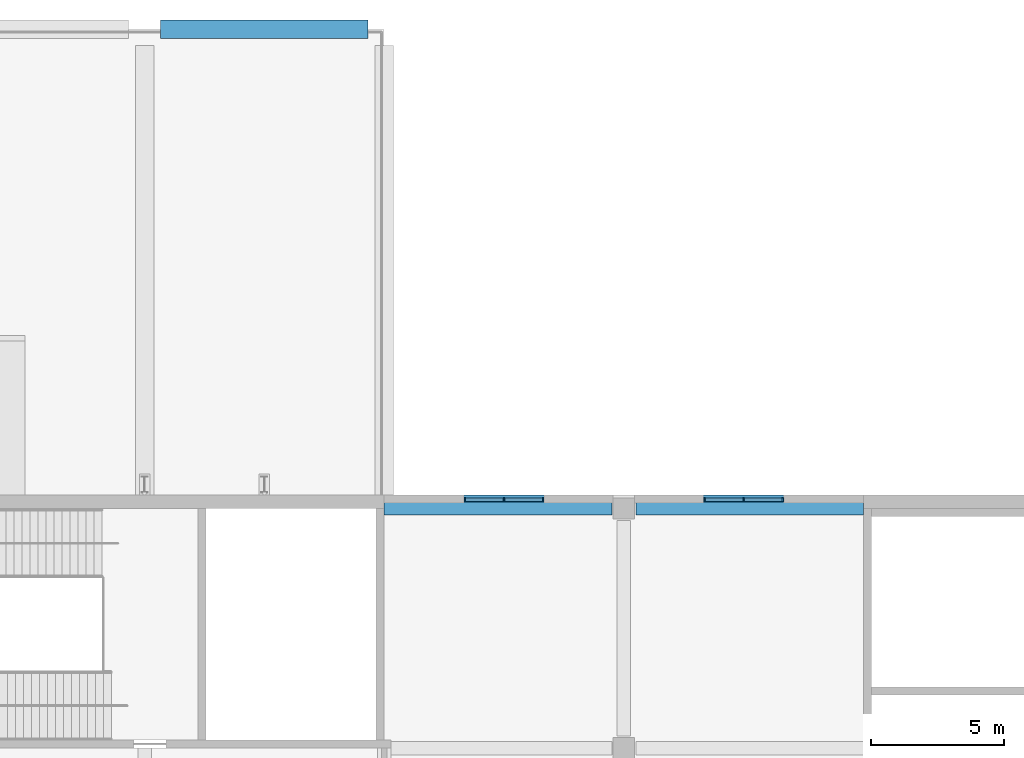
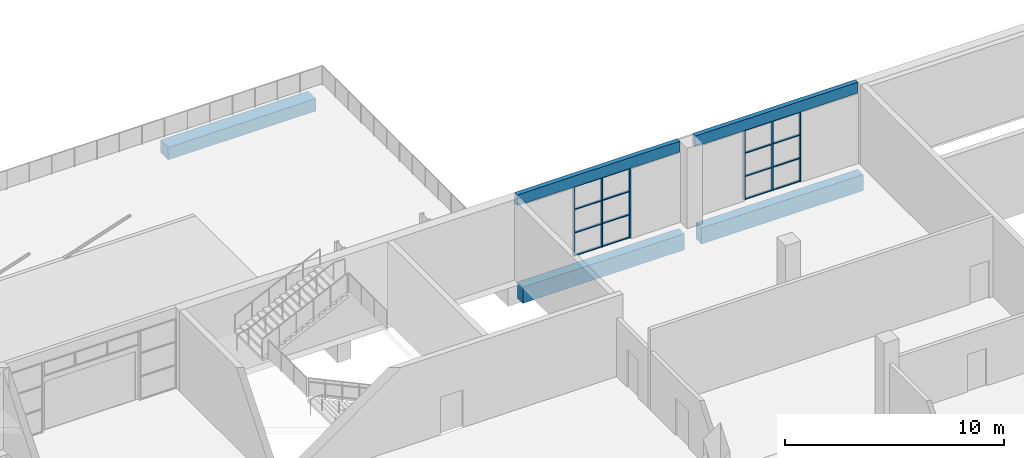
# One storey, part 66 of 168: 22 members, 5 beams, 2 elements without a shape of their own.
"""IFC4 building model written with IfcOpenShell, lengths in metres."""

import ifcopenshell
import ifcopenshell.guid

model = None  # the IFC model being written
_history = None  # IfcOwnerHistory: only IFC2X3 demands one
_inside = {}  # id of a spatial element -> (the spatial element, [elements in it])
_under = {}  # id of a project, library or spatial element -> (it, [spatial elements below it])
_declared = {}  # id of a project -> (the project, [libraries it declares])
_typed = {}  # id of a type object -> (the type object, [elements of that type])
_made_of = {}  # id of a material, layer set ... -> (it, [elements and type objects made of it])


def new_model(schema):
    """Start an empty IFC model of exactly this schema.

    Asked for "IFC4X3", IfcOpenShell would pick the latest addendum, in which some entities
    have other attributes; the version numbers below select the first issue.
    IFC2X3 requires an IfcOwnerHistory on every rooted entity: one is made here for all.
    """
    global model, _history
    if schema == "IFC4X3":
        model = ifcopenshell.file(schema_version=(4, 3, 0, 0))
    else:
        model = ifcopenshell.file(schema=schema)
    _inside.clear()
    _under.clear()
    _declared.clear()
    _typed.clear()
    _made_of.clear()
    _history = None
    if model.schema == "IFC2X3":
        org = make("IfcOrganization", Name="unknown")
        user = make(
            "IfcPersonAndOrganization",
            ThePerson=make("IfcPerson", FamilyName="unknown"),
            TheOrganization=org,
        )
        app = make(
            "IfcApplication",
            ApplicationDeveloper=org,
            Version="unknown",
            ApplicationFullName="unknown",
            ApplicationIdentifier="unknown",
        )
        _history = make(
            "IfcOwnerHistory",
            OwningUser=user,
            OwningApplication=app,
            ChangeAction="ADDED",
            CreationDate=0,
        )
    return model


def make(cls, **values):
    """One entity of the class cls with the attributes given. An attribute that is None is left unset."""
    return model.create_entity(
        cls, **{name: value for name, value in values.items() if value is not None}
    )


def rooted(cls, **values):
    """An entity with a GlobalId (a new one), such as an element, a storey or a relation."""
    return make(cls, GlobalId=ifcopenshell.guid.new(), OwnerHistory=_history, **values)


def si_unit(unit_type, name, prefix=None):
    """IfcSIUnit, for example si_unit("LENGTHUNIT", "METRE", prefix="MILLI")."""
    return make("IfcSIUnit", UnitType=unit_type, Prefix=prefix, Name=name)


def assignment(units):
    """IfcUnitAssignment: the units of a project."""
    return None if units is None else make("IfcUnitAssignment", Units=units)


def point(xyz):
    """IfcCartesianPoint."""
    return None if xyz is None else make("IfcCartesianPoint", Coordinates=xyz)


def direction(xyz):
    """IfcDirection."""
    return None if xyz is None else make("IfcDirection", DirectionRatios=xyz)


def frame(location, z_axis=None, x_axis=None):
    """IfcAxis2Placement3D, a coordinate frame: its origin and axes. An axis left out is left unset."""
    return make(
        "IfcAxis2Placement3D",
        Location=point(location),
        Axis=direction(z_axis),
        RefDirection=direction(x_axis),
    )


def frame_2d(location, x_axis=None):
    """IfcAxis2Placement2D, a coordinate frame in the plane: its origin and x axis."""
    return make(
        "IfcAxis2Placement2D", Location=point(location), RefDirection=direction(x_axis)
    )


def origin():
    """The frame at (0, 0, 0) with its axes left unset."""
    return frame((0.0, 0.0, 0.0))


def origin_2d():
    """The frame at (0, 0) in the plane with its x axis left unset."""
    return frame_2d((0.0, 0.0))


def place(relative_to, where):
    """IfcLocalPlacement: puts the frame where relative to a parent placement (None: the world)."""
    return make(
        "IfcLocalPlacement", PlacementRelTo=relative_to, RelativePlacement=where
    )


def context(
    kind, dimensions, precision=None, world=None, true_north=None, identifier=None
):
    """IfcGeometricRepresentationContext, for example the 3D "Model" context."""
    return make(
        "IfcGeometricRepresentationContext",
        ContextIdentifier=identifier,
        ContextType=kind,
        CoordinateSpaceDimension=dimensions,
        Precision=precision,
        WorldCoordinateSystem=world,
        TrueNorth=true_north,
    )


def subcontext(parent, identifier, kind, view, scale=None):
    """IfcGeometricRepresentationSubContext, for example "Body" below "Model"."""
    return make(
        "IfcGeometricRepresentationSubContext",
        ContextIdentifier=identifier,
        ContextType=kind,
        ParentContext=parent,
        TargetScale=scale,
        TargetView=view,
    )


def project(units=None, contexts=None):
    """IfcProject with its units and contexts."""
    return rooted(
        "IfcProject",
        Name="project",
        RepresentationContexts=contexts,
        UnitsInContext=assignment(units),
    )


def spatial(cls, under=None, at=None, **own):
    """A site, building, storey or space (cls), placed at a placement, below another one or the project."""
    s = rooted(cls, ObjectPlacement=at, **own)
    if under is not None:
        _under.setdefault(under.id(), (under, []))[1].append(s)
    return s


def profile(cls, at=None, kind="AREA", **sizes):
    """A parametric profile (cls). Its sizes go by their IFC names, for example OverallWidth=200.0."""
    return make(cls, ProfileType=kind, Position=at, **sizes)


def rectangle(**sizes):
    """IfcRectangleProfileDef."""
    return profile("IfcRectangleProfileDef", **sizes)


def extrude(swept, where, along, depth):
    """IfcExtrudedAreaSolid: the profile swept, set in the frame where, extruded along a direction by depth."""
    return make(
        "IfcExtrudedAreaSolid",
        SweptArea=swept,
        Position=where,
        ExtrudedDirection=direction(along),
        Depth=depth,
    )


def shape(context_of_items, identifier, shape_type, items):
    """IfcShapeRepresentation: the items that make up one representation, for example the "Body"."""
    return make(
        "IfcShapeRepresentation",
        ContextOfItems=context_of_items,
        RepresentationIdentifier=identifier,
        RepresentationType=shape_type,
        Items=items,
    )


def material(Name=None, Category=None):
    """IfcMaterial."""
    return make("IfcMaterial", Name=Name, Category=Category)


def material_profile(
    of_material, cross_section, Name=None, Category=None, Priority=None
):
    """IfcMaterialProfile: a cross section and its material."""
    return make(
        "IfcMaterialProfile",
        Name=Name,
        Material=of_material,
        Profile=cross_section,
        Priority=Priority,
        Category=Category,
    )


def profile_set(profiles, Name=None, composite=None):
    """IfcMaterialProfileSet."""
    return make(
        "IfcMaterialProfileSet",
        Name=Name,
        MaterialProfiles=profiles,
        CompositeProfile=composite,
    )


def made_of(thing, what):
    """Note that an element or type object is made of a material, layer set ...; save() writes the relation."""
    if what is not None:
        _made_of.setdefault(what.id(), (what, []))[1].append(thing)
    return thing


def type_object(cls, material=None, **own):
    """A type object (cls), such as IfcWallType, which elements share."""
    return made_of(rooted(cls, **own), material)


def element(
    cls,
    number,
    at=None,
    inside=None,
    cuts=None,
    type_object=None,
    material=None,
    context=None,
    identifier="Body",
    shape_type=None,
    held_by="IfcProductDefinitionShape",
    body=None,
    shapes=None,
    **own,
):
    """One element of the class cls, such as IfcWall. Its Tag is "e" and its number.

    at: its placement. inside: the storey or other place that contains it. cuts: it is an
    opening in that element (IfcRelVoidsElement). A single representation is given by context,
    identifier, shape_type and body (its items); several are given by shapes. held_by: the class
    of the entity that holds the representations. save() writes the other relations.
    """
    e = rooted(cls, Tag="e%d" % number, ObjectPlacement=at, **own)
    if body is not None:
        shapes = [shape(context, identifier, shape_type, body)]
    if shapes is not None:
        e.Representation = make(held_by, Representations=shapes)
    if inside is not None:
        _inside.setdefault(inside.id(), (inside, []))[1].append(e)
    if cuts is not None:
        rooted(
            "IfcRelVoidsElement", RelatingBuildingElement=cuts, RelatedOpeningElement=e
        )
    if type_object is not None:
        _typed.setdefault(type_object.id(), (type_object, []))[1].append(e)
    return made_of(e, material)


def aggregate(whole, parts):
    """IfcRelAggregates: a whole, such as a stair, and the parts it consists of."""
    return rooted("IfcRelAggregates", RelatingObject=whole, RelatedObjects=parts)


def save(model, path):
    """Write the relations noted so far, then the file.

    IfcRelAggregates (storeys below a building ...), IfcRelContainedInSpatialStructure (elements
    in a storey), IfcRelDefinesByType, IfcRelAssociatesMaterial and IfcRelDeclares: one each for
    every whole, place, type object, material and project.
    """
    for whole, parts in _under.values():
        aggregate(whole, parts)
    for where, things in _inside.values():
        rooted(
            "IfcRelContainedInSpatialStructure",
            RelatedElements=things,
            RelatingStructure=where,
        )
    for kind, things in _typed.values():
        rooted("IfcRelDefinesByType", RelatedObjects=things, RelatingType=kind)
    for what, things in _made_of.values():
        rooted("IfcRelAssociatesMaterial", RelatedObjects=things, RelatingMaterial=what)
    for by, libraries in _declared.values():
        rooted("IfcRelDeclares", RelatingContext=by, RelatedDefinitions=libraries)
    model.write(path)


model = new_model("IFC4")

# Units and contexts
model_context = context("Model", 3, precision=1e-05, world=origin(), true_north=direction((0.0, 1.0)))
body_context = subcontext(model_context, "Body", "Model", "MODEL_VIEW")
ifc_project = project(units=[si_unit("LENGTHUNIT", "METRE"), si_unit("AREAUNIT", "SQUARE_METRE"), si_unit("VOLUMEUNIT", "CUBIC_METRE"), si_unit("PLANEANGLEUNIT", "RADIAN"), si_unit("MASSUNIT", "GRAM", prefix="KILO")], contexts=[model_context])

# Site, building, storey
site_placement = place(None, origin())
site = spatial("IfcSite", under=ifc_project, at=site_placement, CompositionType="ELEMENT")
building_placement = place(site_placement, origin())
building = spatial("IfcBuilding", under=site, at=building_placement, Name="Silverbay Arena", CompositionType="ELEMENT")
storey_placement = place(building_placement, frame((0.0, 0.0, 7.0)))
storey = spatial("IfcBuildingStorey", under=building, at=storey_placement, Name="L01", CompositionType="ELEMENT", Elevation=7.0)

# Curtain wall, members
ifc_material_1 = material(Name="Aluminium framed curtain wall", Category="aluminium")
curtain_wall_type = type_object("IfcCurtainWallType", Name="Curtain wall 3000 x 3900", PredefinedType="NOTDEFINED", material=ifc_material_1)
curtain_wall_1_placement = place(storey_placement, origin())
curtain_wall_1 = element("IfcCurtainWall", 1, at=curtain_wall_1_placement, inside=storey, type_object=curtain_wall_type, Name="North curtain wall L01 bay 21", PredefinedType="NOTDEFINED")
ifc_material_2 = material(Name="Aluminium", Category="aluminium")
ifc_material_profile_1 = material_profile(ifc_material_2, rectangle(XDim=0.159912109375, YDim=0.06005859375, at=origin_2d()), Name="Mullion 60 x 160")
ifc_profile_set_1 = profile_set([ifc_material_profile_1], Name="Aluminium")
member_type_1 = type_object("IfcMemberType", Name="Mullion 60 x 160", PredefinedType="MULLION", material=ifc_profile_set_1)
member_1_placement = place(storey_placement, frame((212.969970703125, 144.330078125, 0.0), z_axis=(0.0, 0.0, 1.0), x_axis=(0.0, -1.0, 0.0)))
member_1 = element("IfcMember", 2, at=member_1_placement, type_object=member_type_1, Name="CW5 mullion 1", PredefinedType="MULLION", context=body_context, shape_type="SweptSolid", body=[
    extrude(rectangle(XDim=0.159912109375, YDim=0.06005859375, at=origin_2d()), origin(), (0.0, 0.0, 1.0), 3.89990234375),
])
member_2_placement = place(storey_placement, frame((211.5, 144.330078125, 0.0), z_axis=(0.0, 0.0, 1.0), x_axis=(0.0, -1.0, 0.0)))
member_2 = element("IfcMember", 3, at=member_2_placement, type_object=member_type_1, Name="CW5 mullion 2", PredefinedType="MULLION", context=body_context, shape_type="SweptSolid", body=[
    extrude(rectangle(XDim=0.159912109375, YDim=0.06005859375, at=origin_2d()), origin(), (0.0, 0.0, 1.0), 3.89990234375),
])
member_3_placement = place(storey_placement, frame((210.030029296875, 144.330078125, 0.0), z_axis=(0.0, 0.0, 1.0), x_axis=(0.0, -1.0, 0.0)))
member_3 = element("IfcMember", 4, at=member_3_placement, type_object=member_type_1, Name="CW5 mullion 3", PredefinedType="MULLION", context=body_context, shape_type="SweptSolid", body=[
    extrude(rectangle(XDim=0.159912109375, YDim=0.06005859375, at=origin_2d()), origin(), (0.0, 0.0, 1.0), 3.89990234375),
])

curtain_wall_2_placement = place(storey_placement, origin())
curtain_wall_2 = element("IfcCurtainWall", 5, at=curtain_wall_2_placement, inside=storey, type_object=curtain_wall_type, Name="North curtain wall L01 bay 22", PredefinedType="NOTDEFINED")
member_4_placement = place(storey_placement, frame((221.969970703125, 144.330078125, 0.0), z_axis=(0.0, 0.0, 1.0), x_axis=(0.0, -1.0, 0.0)))
member_4 = element("IfcMember", 6, at=member_4_placement, type_object=member_type_1, Name="CW5 mullion 1", PredefinedType="MULLION", context=body_context, shape_type="SweptSolid", body=[
    extrude(rectangle(XDim=0.159912109375, YDim=0.06005859375, at=origin_2d()), origin(), (0.0, 0.0, 1.0), 3.89990234375),
])
member_5_placement = place(storey_placement, frame((220.5, 144.330078125, 0.0), z_axis=(0.0, 0.0, 1.0), x_axis=(0.0, -1.0, 0.0)))
member_5 = element("IfcMember", 7, at=member_5_placement, type_object=member_type_1, Name="CW5 mullion 2", PredefinedType="MULLION", context=body_context, shape_type="SweptSolid", body=[
    extrude(rectangle(XDim=0.159912109375, YDim=0.06005859375, at=origin_2d()), origin(), (0.0, 0.0, 1.0), 3.89990234375),
])
member_6_placement = place(storey_placement, frame((219.030029296875, 144.330078125, 0.0), z_axis=(0.0, 0.0, 1.0), x_axis=(0.0, -1.0, 0.0)))
member_6 = element("IfcMember", 8, at=member_6_placement, type_object=member_type_1, Name="CW5 mullion 3", PredefinedType="MULLION", context=body_context, shape_type="SweptSolid", body=[
    extrude(rectangle(XDim=0.159912109375, YDim=0.06005859375, at=origin_2d()), origin(), (0.0, 0.0, 1.0), 3.89990234375),
])

# Beams
ifc_material_3 = material(Name="Concrete Grade C45", Category="concrete")
ifc_material_profile_2 = material_profile(ifc_material_3, rectangle(XDim=0.5, YDim=0.89990234375, at=origin_2d()), Name="RC 500x900")
ifc_profile_set_2 = profile_set([ifc_material_profile_2], Name="Concrete Grade C45")
beam_type_1 = type_object("IfcBeamType", Name="RC beam 500x900", PredefinedType="BEAM", material=ifc_profile_set_2)
for number, where, z_axis, x_axis, name in (
    (9, (207.0, 144.0, -0.800048828125), (1.0, 0.0, 0.0), (0.0, 1.0, 0.0), "Floor beam L01 179"),
    (10, (216.449951171875, 144.0, -0.800048828125), (1.0, 0.0, 0.0), (0.0, 1.0, 0.0), "Floor beam L01 180"),
):
    element("IfcBeam", number, at=place(storey_placement, frame(where, z_axis=z_axis, x_axis=x_axis)), inside=storey, type_object=beam_type_1, Name=name, PredefinedType="BEAM", context=body_context, shape_type="SweptSolid", body=[
        extrude(rectangle(XDim=0.5, YDim=0.89990234375, at=origin_2d()), origin(), (0.0, 0.0, 1.0), 8.550048828125),
    ])
ifc_material_4 = material(Name="Concrete Grade C45", Category="concrete")
ifc_material_profile_3 = material_profile(ifc_material_4, rectangle(XDim=0.699951171875, YDim=0.699951171875, at=origin_2d()), Name="RC 700x700")
ifc_profile_set_3 = profile_set([ifc_material_profile_3], Name="Concrete Grade C45")
beam_type_2 = type_object("IfcBeamType", Name="RC beam 700x700", PredefinedType="BEAM", material=ifc_profile_set_3)
beam_placement = place(storey_placement, frame((198.60009765625, 162.0, -0.800048828125), z_axis=(1.0, 0.0, 0.0), x_axis=(0.0, 1.0, 0.0)))
element("IfcBeam", 11, at=beam_placement, inside=storey, type_object=beam_type_2, Name="Deck girder 139", PredefinedType="BEAM", context=body_context, shape_type="SweptSolid", body=[
    extrude(rectangle(XDim=0.699951171875, YDim=0.699951171875, at=origin_2d()), origin(), (0.0, 0.0, 1.0), 7.7998046875),
])
ifc_material_5 = material(Name="Concrete Grade C45", Category="concrete")
ifc_material_profile_4 = material_profile(ifc_material_5, rectangle(XDim=0.25, YDim=0.60009765625, at=origin_2d()), Name="RC 250x600")
ifc_profile_set_4 = profile_set([ifc_material_profile_4], Name="Concrete Grade C45")
beam_type_3 = type_object("IfcBeamType", Name="RC facade beam 250x600", PredefinedType="SPANDREL", material=ifc_profile_set_4)
for number, where, z_axis, x_axis, name in (
    (12, (207.0, 144.375, 4.199951171875), (1.0, 0.0, 0.0), (0.0, 1.0, 0.0), "Facade beam L01 north"),
    (13, (216.39990234375, 144.375, 4.199951171875), (1.0, 0.0, 0.0), (0.0, 1.0, 0.0), "Facade beam L01 north"),
):
    element("IfcBeam", number, at=place(storey_placement, frame(where, z_axis=z_axis, x_axis=x_axis)), inside=storey, type_object=beam_type_3, Name=name, PredefinedType="SPANDREL", context=body_context, shape_type="SweptSolid", body=[
        extrude(rectangle(XDim=0.25, YDim=0.60009765625, at=origin_2d()), origin(), (0.0, 0.0, 1.0), 8.60009765625),
    ])

# Member
ifc_material_6 = material(Name="Aluminium", Category="aluminium")
ifc_material_profile_5 = material_profile(ifc_material_6, rectangle(XDim=0.1201171875, YDim=0.050048828125, at=origin_2d()), Name="Transom 50 x 120")
ifc_profile_set_5 = profile_set([ifc_material_profile_5], Name="Aluminium")
member_type_2 = type_object("IfcMemberType", Name="Transom 50 x 120", PredefinedType="USERDEFINED", material=ifc_profile_set_5)
member_7_placement = place(storey_placement, frame((212.93994140625, 144.330078125, 0.02490234375), z_axis=(-1.0, 0.0, 0.0), x_axis=(0.0, -1.0, 0.0)))
member_7 = element("IfcMember", 14, at=member_7_placement, type_object=member_type_2, Name="CW5 transom 1.1", ObjectType="TRANSOM", PredefinedType="USERDEFINED", context=body_context, shape_type="SweptSolid", body=[
    extrude(rectangle(XDim=0.1201171875, YDim=0.050048828125, at=origin_2d()), origin(), (0.0, 0.0, 1.0), 1.409912109375),
])

member_8_placement = place(storey_placement, frame((212.93994140625, 144.330078125, 1.300048828125), z_axis=(-1.0, 0.0, 0.0), x_axis=(0.0, -1.0, 0.0)))
member_8 = element("IfcMember", 15, at=member_8_placement, type_object=member_type_2, Name="CW5 transom 1.2", ObjectType="TRANSOM", PredefinedType="USERDEFINED", context=body_context, shape_type="SweptSolid", body=[
    extrude(rectangle(XDim=0.1201171875, YDim=0.050048828125, at=origin_2d()), origin(), (0.0, 0.0, 1.0), 1.409912109375),
])

member_9_placement = place(storey_placement, frame((212.93994140625, 144.330078125, 2.60009765625), z_axis=(-1.0, 0.0, 0.0), x_axis=(0.0, -1.0, 0.0)))
member_9 = element("IfcMember", 16, at=member_9_placement, type_object=member_type_2, Name="CW5 transom 1.3", ObjectType="TRANSOM", PredefinedType="USERDEFINED", context=body_context, shape_type="SweptSolid", body=[
    extrude(rectangle(XDim=0.1201171875, YDim=0.050048828125, at=origin_2d()), origin(), (0.0, 0.0, 1.0), 1.409912109375),
])

member_10_placement = place(storey_placement, frame((212.93994140625, 144.330078125, 3.875), z_axis=(-1.0, 0.0, 0.0), x_axis=(0.0, -1.0, 0.0)))
member_10 = element("IfcMember", 17, at=member_10_placement, type_object=member_type_2, Name="CW5 transom 1.4", ObjectType="TRANSOM", PredefinedType="USERDEFINED", context=body_context, shape_type="SweptSolid", body=[
    extrude(rectangle(XDim=0.1201171875, YDim=0.050048828125, at=origin_2d()), origin(), (0.0, 0.0, 1.0), 1.409912109375),
])

member_11_placement = place(storey_placement, frame((211.469970703125, 144.330078125, 0.02490234375), z_axis=(-1.0, 0.0, 0.0), x_axis=(0.0, -1.0, 0.0)))
member_11 = element("IfcMember", 18, at=member_11_placement, type_object=member_type_2, Name="CW5 transom 2.1", ObjectType="TRANSOM", PredefinedType="USERDEFINED", context=body_context, shape_type="SweptSolid", body=[
    extrude(rectangle(XDim=0.1201171875, YDim=0.050048828125, at=origin_2d()), origin(), (0.0, 0.0, 1.0), 1.409912109375),
])

member_12_placement = place(storey_placement, frame((211.469970703125, 144.330078125, 1.300048828125), z_axis=(-1.0, 0.0, 0.0), x_axis=(0.0, -1.0, 0.0)))
member_12 = element("IfcMember", 19, at=member_12_placement, type_object=member_type_2, Name="CW5 transom 2.2", ObjectType="TRANSOM", PredefinedType="USERDEFINED", context=body_context, shape_type="SweptSolid", body=[
    extrude(rectangle(XDim=0.1201171875, YDim=0.050048828125, at=origin_2d()), origin(), (0.0, 0.0, 1.0), 1.409912109375),
])

member_13_placement = place(storey_placement, frame((211.469970703125, 144.330078125, 2.60009765625), z_axis=(-1.0, 0.0, 0.0), x_axis=(0.0, -1.0, 0.0)))
member_13 = element("IfcMember", 20, at=member_13_placement, type_object=member_type_2, Name="CW5 transom 2.3", ObjectType="TRANSOM", PredefinedType="USERDEFINED", context=body_context, shape_type="SweptSolid", body=[
    extrude(rectangle(XDim=0.1201171875, YDim=0.050048828125, at=origin_2d()), origin(), (0.0, 0.0, 1.0), 1.409912109375),
])

member_14_placement = place(storey_placement, frame((211.469970703125, 144.330078125, 3.875), z_axis=(-1.0, 0.0, 0.0), x_axis=(0.0, -1.0, 0.0)))
member_14 = element("IfcMember", 21, at=member_14_placement, type_object=member_type_2, Name="CW5 transom 2.4", ObjectType="TRANSOM", PredefinedType="USERDEFINED", context=body_context, shape_type="SweptSolid", body=[
    extrude(rectangle(XDim=0.1201171875, YDim=0.050048828125, at=origin_2d()), origin(), (0.0, 0.0, 1.0), 1.409912109375),
])

aggregate(curtain_wall_1, [member_1, member_2, member_3, member_7, member_8, member_9, member_10, member_11, member_12, member_13, member_14])

member_15_placement = place(storey_placement, frame((221.93994140625, 144.330078125, 0.02490234375), z_axis=(-1.0, 0.0, 0.0), x_axis=(0.0, -1.0, 0.0)))
member_15 = element("IfcMember", 22, at=member_15_placement, type_object=member_type_2, Name="CW5 transom 1.1", ObjectType="TRANSOM", PredefinedType="USERDEFINED", context=body_context, shape_type="SweptSolid", body=[
    extrude(rectangle(XDim=0.1201171875, YDim=0.050048828125, at=origin_2d()), origin(), (0.0, 0.0, 1.0), 1.409912109375),
])

member_16_placement = place(storey_placement, frame((221.93994140625, 144.330078125, 1.300048828125), z_axis=(-1.0, 0.0, 0.0), x_axis=(0.0, -1.0, 0.0)))
member_16 = element("IfcMember", 23, at=member_16_placement, type_object=member_type_2, Name="CW5 transom 1.2", ObjectType="TRANSOM", PredefinedType="USERDEFINED", context=body_context, shape_type="SweptSolid", body=[
    extrude(rectangle(XDim=0.1201171875, YDim=0.050048828125, at=origin_2d()), origin(), (0.0, 0.0, 1.0), 1.409912109375),
])

member_17_placement = place(storey_placement, frame((221.93994140625, 144.330078125, 2.60009765625), z_axis=(-1.0, 0.0, 0.0), x_axis=(0.0, -1.0, 0.0)))
member_17 = element("IfcMember", 24, at=member_17_placement, type_object=member_type_2, Name="CW5 transom 1.3", ObjectType="TRANSOM", PredefinedType="USERDEFINED", context=body_context, shape_type="SweptSolid", body=[
    extrude(rectangle(XDim=0.1201171875, YDim=0.050048828125, at=origin_2d()), origin(), (0.0, 0.0, 1.0), 1.409912109375),
])

member_18_placement = place(storey_placement, frame((221.93994140625, 144.330078125, 3.875), z_axis=(-1.0, 0.0, 0.0), x_axis=(0.0, -1.0, 0.0)))
member_18 = element("IfcMember", 25, at=member_18_placement, type_object=member_type_2, Name="CW5 transom 1.4", ObjectType="TRANSOM", PredefinedType="USERDEFINED", context=body_context, shape_type="SweptSolid", body=[
    extrude(rectangle(XDim=0.1201171875, YDim=0.050048828125, at=origin_2d()), origin(), (0.0, 0.0, 1.0), 1.409912109375),
])

member_19_placement = place(storey_placement, frame((220.469970703125, 144.330078125, 0.02490234375), z_axis=(-1.0, 0.0, 0.0), x_axis=(0.0, -1.0, 0.0)))
member_19 = element("IfcMember", 26, at=member_19_placement, type_object=member_type_2, Name="CW5 transom 2.1", ObjectType="TRANSOM", PredefinedType="USERDEFINED", context=body_context, shape_type="SweptSolid", body=[
    extrude(rectangle(XDim=0.1201171875, YDim=0.050048828125, at=origin_2d()), origin(), (0.0, 0.0, 1.0), 1.409912109375),
])

member_20_placement = place(storey_placement, frame((220.469970703125, 144.330078125, 1.300048828125), z_axis=(-1.0, 0.0, 0.0), x_axis=(0.0, -1.0, 0.0)))
member_20 = element("IfcMember", 27, at=member_20_placement, type_object=member_type_2, Name="CW5 transom 2.2", ObjectType="TRANSOM", PredefinedType="USERDEFINED", context=body_context, shape_type="SweptSolid", body=[
    extrude(rectangle(XDim=0.1201171875, YDim=0.050048828125, at=origin_2d()), origin(), (0.0, 0.0, 1.0), 1.409912109375),
])

member_21_placement = place(storey_placement, frame((220.469970703125, 144.330078125, 2.60009765625), z_axis=(-1.0, 0.0, 0.0), x_axis=(0.0, -1.0, 0.0)))
member_21 = element("IfcMember", 28, at=member_21_placement, type_object=member_type_2, Name="CW5 transom 2.3", ObjectType="TRANSOM", PredefinedType="USERDEFINED", context=body_context, shape_type="SweptSolid", body=[
    extrude(rectangle(XDim=0.1201171875, YDim=0.050048828125, at=origin_2d()), origin(), (0.0, 0.0, 1.0), 1.409912109375),
])

member_22_placement = place(storey_placement, frame((220.469970703125, 144.330078125, 3.875), z_axis=(-1.0, 0.0, 0.0), x_axis=(0.0, -1.0, 0.0)))
member_22 = element("IfcMember", 29, at=member_22_placement, type_object=member_type_2, Name="CW5 transom 2.4", ObjectType="TRANSOM", PredefinedType="USERDEFINED", context=body_context, shape_type="SweptSolid", body=[
    extrude(rectangle(XDim=0.1201171875, YDim=0.050048828125, at=origin_2d()), origin(), (0.0, 0.0, 1.0), 1.409912109375),
])

aggregate(curtain_wall_2, [member_4, member_5, member_6, member_15, member_16, member_17, member_18, member_19, member_20, member_21, member_22])

save(model, "model.ifc")
